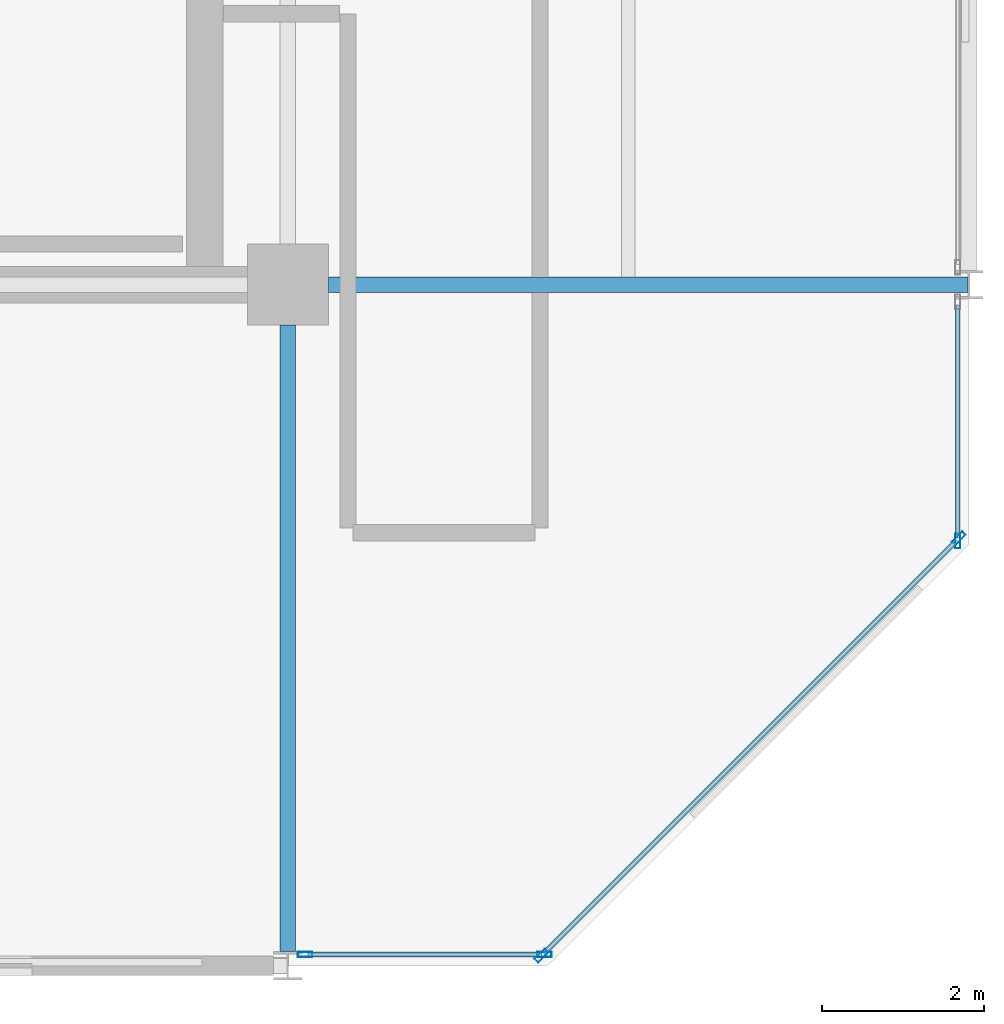
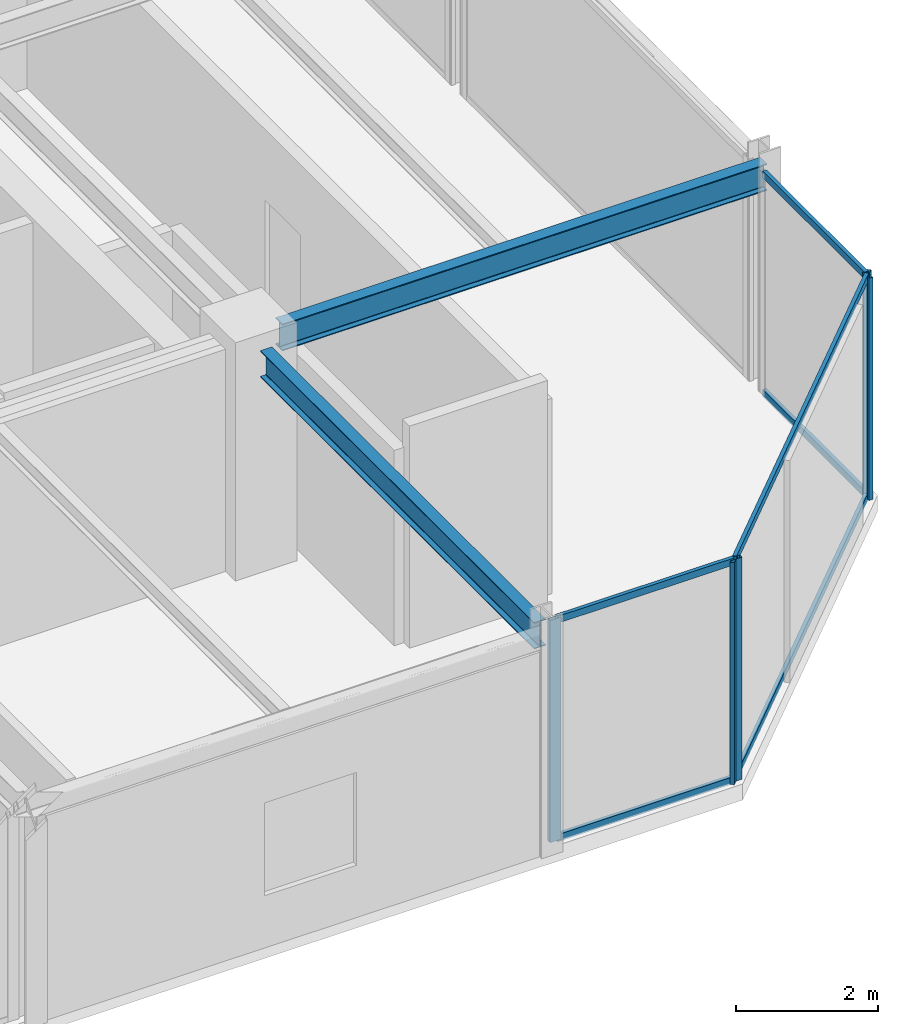
# One storey, part 13 of 25: 11 members, 2 beams, 3 elements without a shape of their own.
"""IFC4 building model written with IfcOpenShell, lengths in metres."""

from ifc_helpers import new_model, si_unit, direction, frame, origin, origin_2d, place, context, subcontext, project, spatial, hollow_rectangle, i_section, extrude, material, layer, layer_set, material_profile, profile_set, type_object, element, aggregate, save


model = new_model("IFC4")

# Units and contexts
model_context = context("Model", 3, precision=1e-05, world=origin(), true_north=direction((0.0, 1.0)))
body_context = subcontext(model_context, "Body", "Model", "MODEL_VIEW")
ifc_project = project(units=[si_unit("LENGTHUNIT", "METRE"), si_unit("AREAUNIT", "SQUARE_METRE"), si_unit("VOLUMEUNIT", "CUBIC_METRE"), si_unit("PLANEANGLEUNIT", "RADIAN"), si_unit("MASSUNIT", "GRAM", prefix="KILO")], contexts=[model_context])

# Site, building, storey
site_placement = place(None, origin())
site = spatial("IfcSite", under=ifc_project, at=site_placement, CompositionType="ELEMENT")
building_placement = place(site_placement, origin())
building = spatial("IfcBuilding", under=site, at=building_placement, Name="Nerrivon Quay Data Exchange", CompositionType="ELEMENT")
storey_placement = place(building_placement, frame((0.0, 0.0, 237.0)))
storey = spatial("IfcBuildingStorey", under=building, at=storey_placement, Name="L56", CompositionType="ELEMENT", Elevation=237.0)

# Beams
ifc_material_1 = material(Name="Steel Grade 350", Category="steel")
ifc_material_profile_1 = material_profile(ifc_material_1, i_section(OverallWidth=0.19091796875, OverallDepth=0.4599609375, WebThickness=0.010009765625, FlangeThickness=0.01611328125, FilletRadius=0.011474609375, at=origin_2d()), Name="460UB82.1")
ifc_profile_set_1 = profile_set([ifc_material_profile_1], Name="Steel Grade 350")
beam_type_1 = type_object("IfcBeamType", Name="BM-G5-460UB82", PredefinedType="BEAM", material=ifc_profile_set_1)
beam_1_placement = place(storey_placement, frame((34.10009765625, 8.39990234375, 3.594970703125), z_axis=(1.0, 0.0, 0.0), x_axis=(0.0, 1.0, 0.0)))
element("IfcBeam", 1, at=beam_1_placement, inside=storey, type_object=beam_type_1, Name="L56 EW Girder Y=8.4 (33.6..42.0)", PredefinedType="BEAM", context=body_context, shape_type="SweptSolid", body=[
    extrude(i_section(OverallWidth=0.19091796875, OverallDepth=0.4599609375, WebThickness=0.010009765625, FlangeThickness=0.01611328125, FilletRadius=0.011474609375, at=origin_2d()), origin(), (0.0, 0.0, 1.0), 7.889892578125),
])
ifc_material_profile_2 = material_profile(ifc_material_1, i_section(OverallWidth=0.18994140625, OverallDepth=0.4541015625, WebThickness=0.008544921875, FlangeThickness=0.0126953125, FilletRadius=0.011474609375, at=origin_2d()), Name="460UB67.1")
ifc_profile_set_2 = profile_set([ifc_material_profile_2], Name="Steel Grade 350")
beam_type_2 = type_object("IfcBeamType", Name="BM-G6-460UB67", PredefinedType="BEAM", material=ifc_profile_set_2)
beam_2_placement = place(storey_placement, frame((33.60009765625, 0.175048828125, 3.597900390625), z_axis=(0.0, 1.0, 0.0), x_axis=(-1.0, 0.0, 0.0)))
element("IfcBeam", 2, at=beam_2_placement, inside=storey, type_object=beam_type_2, Name="L56 NS Girder X=33.6 (0.0..8.4)", PredefinedType="BEAM", context=body_context, shape_type="SweptSolid", body=[
    extrude(i_section(OverallWidth=0.18994140625, OverallDepth=0.4541015625, WebThickness=0.008544921875, FlangeThickness=0.0126953125, FilletRadius=0.011474609375, at=origin_2d()), origin(), (0.0, 0.0, 1.0), 7.724853515625),
])

# Curtain wall, members
ifc_material_2 = material(Name="Anodised aluminium 6063-T6", Category="aluminium")
ifc_layer = layer(ifc_material_2, 0.195068359375)
ifc_layer_set = layer_set([ifc_layer], Name="Anodised aluminium 6063-T6")
curtain_wall_type = type_object("IfcCurtainWallType", Name="CW-SYS-06", PredefinedType="NOTDEFINED", material=ifc_layer_set)
curtain_wall_1_placement = place(storey_placement, origin())
curtain_wall_1 = element("IfcCurtainWall", 3, at=curtain_wall_1_placement, inside=storey, type_object=curtain_wall_type, Name="L56 Unitised Curtain Wall 1", PredefinedType="NOTDEFINED")
ifc_material_profile_3 = material_profile(ifc_material_2, hollow_rectangle(XDim=0.06494140625, YDim=0.179931640625, WallThickness=0.00341796875, at=origin_2d()), Name="ALU-MULL-180x65")
ifc_profile_set_3 = profile_set([ifc_material_profile_3], Name="Anodised aluminium 6063-T6")
member_type_1 = type_object("IfcMemberType", Name="CWM-180x65", PredefinedType="MULLION", material=ifc_profile_set_3)
member_1_placement = place(storey_placement, frame((41.87451171875, 5.2724609375, 0.0), z_axis=(0.0, 0.0, 1.0), x_axis=(0.707106781187, -0.707106781187, 0.0)))
member_1 = element("IfcMember", 4, at=member_1_placement, type_object=member_type_1, Name="CW06 mullion 1", PredefinedType="MULLION", context=body_context, shape_type="SweptSolid", body=[
    extrude(hollow_rectangle(XDim=0.06494140625, YDim=0.179931640625, WallThickness=0.00341796875, at=origin_2d()), origin(), (0.0, 0.0, 1.0), 3.824951171875),
])
member_2_placement = place(storey_placement, frame((36.7275390625, 0.12548828125, 0.0), z_axis=(0.0, 0.0, 1.0), x_axis=(0.707106781187, -0.707106781187, 0.0)))
member_2 = element("IfcMember", 5, at=member_2_placement, type_object=member_type_1, Name="CW06 mullion 2", PredefinedType="MULLION", context=body_context, shape_type="SweptSolid", body=[
    extrude(hollow_rectangle(XDim=0.06494140625, YDim=0.179931640625, WallThickness=0.00341796875, at=origin_2d()), origin(), (0.0, 0.0, 1.0), 3.824951171875),
])

curtain_wall_2_placement = place(storey_placement, origin())
curtain_wall_2 = element("IfcCurtainWall", 6, at=curtain_wall_2_placement, inside=storey, type_object=curtain_wall_type, Name="L56 Unitised Curtain Wall 2", PredefinedType="NOTDEFINED")
member_3_placement = place(storey_placement, frame((36.762451171875, 0.139892578125, 0.0), z_axis=(0.0, 0.0, 1.0), x_axis=(0.0, -1.0, 0.0)))
member_3 = element("IfcMember", 7, at=member_3_placement, type_object=member_type_1, Name="CW06 mullion 1", PredefinedType="MULLION", context=body_context, shape_type="SweptSolid", body=[
    extrude(hollow_rectangle(XDim=0.06494140625, YDim=0.179931640625, WallThickness=0.00341796875, at=origin_2d()), origin(), (0.0, 0.0, 1.0), 3.824951171875),
])
member_4_placement = place(storey_placement, frame((33.8125, 0.139892578125, 0.0), z_axis=(0.0, 0.0, 1.0), x_axis=(0.0, -1.0, 0.0)))
member_4 = element("IfcMember", 8, at=member_4_placement, type_object=member_type_1, Name="CW06 mullion 2", PredefinedType="MULLION", context=body_context, shape_type="SweptSolid", body=[
    extrude(hollow_rectangle(XDim=0.06494140625, YDim=0.179931640625, WallThickness=0.00341796875, at=origin_2d()), origin(), (0.0, 0.0, 1.0), 3.824951171875),
])

# Curtain wall, member
curtain_wall_3_placement = place(storey_placement, origin())
curtain_wall_3 = element("IfcCurtainWall", 9, at=curtain_wall_3_placement, inside=storey, type_object=curtain_wall_type, Name="L56 Unitised Curtain Wall 28", PredefinedType="NOTDEFINED")
member_5_placement = place(storey_placement, frame((41.860107421875, 5.237548828125, 0.0), z_axis=(0.0, 0.0, 1.0), x_axis=(1.0, 0.0, 0.0)))
member_5 = element("IfcMember", 10, at=member_5_placement, type_object=member_type_1, Name="CW06 mullion 2", PredefinedType="MULLION", context=body_context, shape_type="SweptSolid", body=[
    extrude(hollow_rectangle(XDim=0.06494140625, YDim=0.179931640625, WallThickness=0.00341796875, at=origin_2d()), origin(), (0.0, 0.0, 1.0), 3.824951171875),
])

# Member
ifc_material_profile_4 = material_profile(ifc_material_2, hollow_rectangle(XDim=0.06005859375, YDim=0.1201171875, WallThickness=0.003173828125, at=origin_2d()), Name="ALU-TRAN-120x60")
ifc_profile_set_4 = profile_set([ifc_material_profile_4], Name="Anodised aluminium 6063-T6")
member_type_2 = type_object("IfcMemberType", Name="CWT-120x60", PredefinedType="USERDEFINED", material=ifc_profile_set_4)
member_6_placement = place(storey_placement, frame((41.847900390625, 5.245849609375, 0.032470703125), z_axis=(-0.707106781187, -0.707106781187, 0.0), x_axis=(0.707106781187, -0.707106781187, 0.0)))
member_6 = element("IfcMember", 11, at=member_6_placement, type_object=member_type_2, Name="CW06 transom 1.1", ObjectType="TRANSOM", PredefinedType="USERDEFINED", context=body_context, shape_type="SweptSolid", body=[
    extrude(hollow_rectangle(XDim=0.06005859375, YDim=0.1201171875, WallThickness=0.003173828125, at=origin_2d()), origin(), (0.0, 0.0, 1.0), 7.20361328125),
])

member_7_placement = place(storey_placement, frame((41.847900390625, 5.245849609375, 3.79248046875), z_axis=(-0.707106781187, -0.707106781187, 0.0), x_axis=(0.707106781187, -0.707106781187, 0.0)))
member_7 = element("IfcMember", 12, at=member_7_placement, type_object=member_type_2, Name="CW06 transom 1.2", ObjectType="TRANSOM", PredefinedType="USERDEFINED", context=body_context, shape_type="SweptSolid", body=[
    extrude(hollow_rectangle(XDim=0.06005859375, YDim=0.1201171875, WallThickness=0.003173828125, at=origin_2d()), origin(), (0.0, 0.0, 1.0), 7.20361328125),
])

aggregate(curtain_wall_1, [member_1, member_2, member_6, member_7])

member_8_placement = place(storey_placement, frame((36.72509765625, 0.139892578125, 0.032470703125), z_axis=(-1.0, 0.0, 0.0), x_axis=(0.0, -1.0, 0.0)))
member_8 = element("IfcMember", 13, at=member_8_placement, type_object=member_type_2, Name="CW06 transom 1.1", ObjectType="TRANSOM", PredefinedType="USERDEFINED", context=body_context, shape_type="SweptSolid", body=[
    extrude(hollow_rectangle(XDim=0.06005859375, YDim=0.1201171875, WallThickness=0.003173828125, at=origin_2d()), origin(), (0.0, 0.0, 1.0), 2.875),
])

member_9_placement = place(storey_placement, frame((36.72509765625, 0.139892578125, 3.79248046875), z_axis=(-1.0, 0.0, 0.0), x_axis=(0.0, -1.0, 0.0)))
member_9 = element("IfcMember", 14, at=member_9_placement, type_object=member_type_2, Name="CW06 transom 1.2", ObjectType="TRANSOM", PredefinedType="USERDEFINED", context=body_context, shape_type="SweptSolid", body=[
    extrude(hollow_rectangle(XDim=0.06005859375, YDim=0.1201171875, WallThickness=0.003173828125, at=origin_2d()), origin(), (0.0, 0.0, 1.0), 2.875),
])

aggregate(curtain_wall_2, [member_3, member_4, member_8, member_9])

member_10_placement = place(storey_placement, frame((41.860107421875, 8.14990234375, 0.032470703125), z_axis=(0.0, -1.0, 0.0), x_axis=(1.0, 0.0, 0.0)))
member_10 = element("IfcMember", 15, at=member_10_placement, type_object=member_type_2, Name="CW06 transom 1.1", ObjectType="TRANSOM", PredefinedType="USERDEFINED", context=body_context, shape_type="SweptSolid", body=[
    extrude(hollow_rectangle(XDim=0.06005859375, YDim=0.1201171875, WallThickness=0.003173828125, at=origin_2d()), origin(), (0.0, 0.0, 1.0), 2.875),
])

member_11_placement = place(storey_placement, frame((41.860107421875, 8.14990234375, 3.79248046875), z_axis=(0.0, -1.0, 0.0), x_axis=(1.0, 0.0, 0.0)))
member_11 = element("IfcMember", 16, at=member_11_placement, type_object=member_type_2, Name="CW06 transom 1.2", ObjectType="TRANSOM", PredefinedType="USERDEFINED", context=body_context, shape_type="SweptSolid", body=[
    extrude(hollow_rectangle(XDim=0.06005859375, YDim=0.1201171875, WallThickness=0.003173828125, at=origin_2d()), origin(), (0.0, 0.0, 1.0), 2.875),
])

aggregate(curtain_wall_3, [member_5, member_10, member_11])

save(model, "model.ifc")
